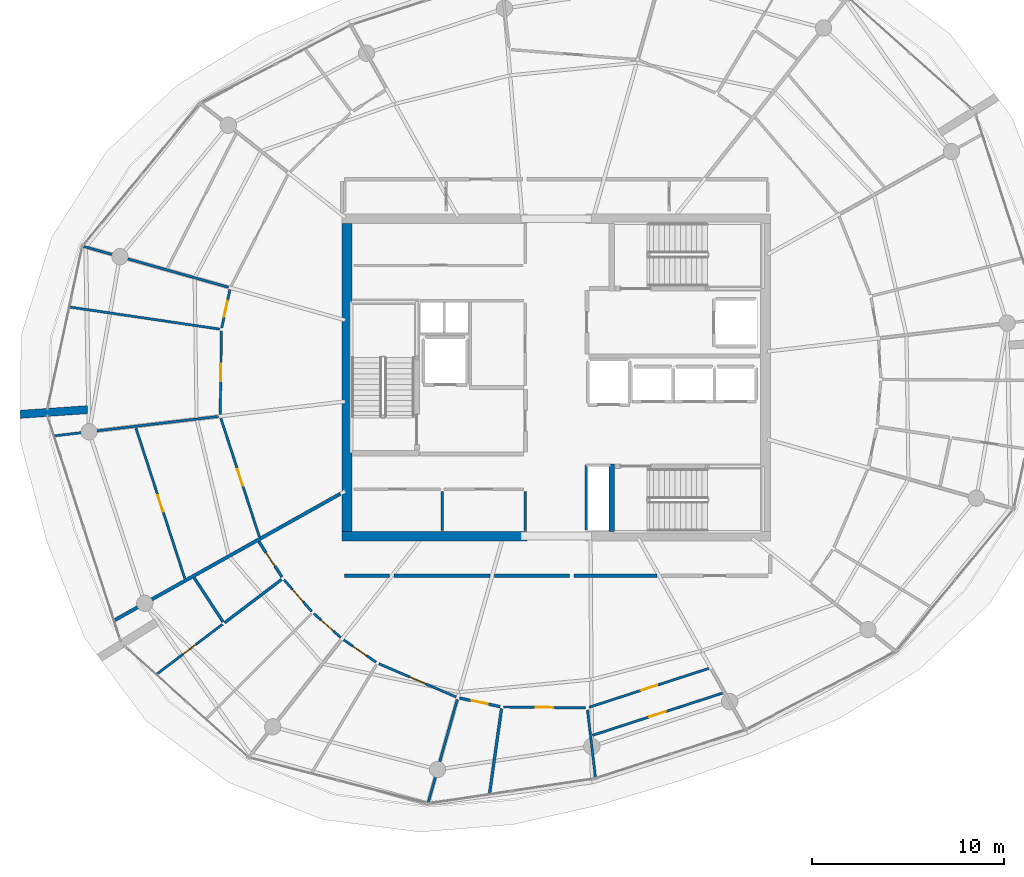
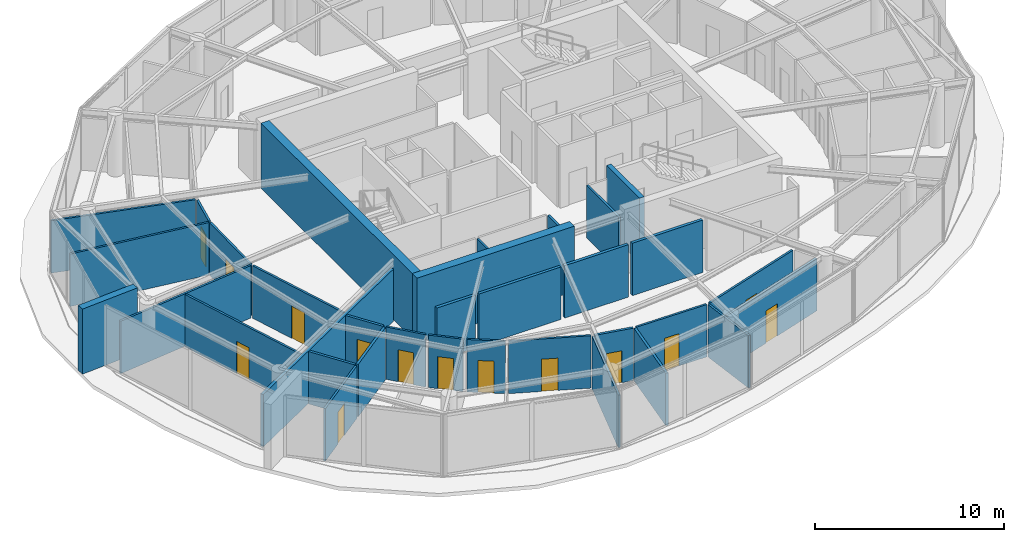
# One storey, part 11 of 16: 34 walls, 14 doors, 14 openings.
"""IFC4 building model written with IfcOpenShell, lengths in metres."""

from ifc_helpers import new_model, si_unit, direction, frame, frame_2d, origin, place, context, subcontext, project, spatial, rectangle, extrude, material, layer, layer_set, type_object, element, fill, save


model = new_model("IFC4")

# Units and contexts
model_context = context("Model", 3, precision=1e-05, world=origin(), true_north=direction((0.0, 1.0)))
body_context = subcontext(model_context, "Body", "Model", "MODEL_VIEW")
ifc_project = project(units=[si_unit("LENGTHUNIT", "METRE"), si_unit("AREAUNIT", "SQUARE_METRE"), si_unit("VOLUMEUNIT", "CUBIC_METRE"), si_unit("PLANEANGLEUNIT", "RADIAN"), si_unit("MASSUNIT", "GRAM", prefix="KILO")], contexts=[model_context])

# Site, building, storey
site_placement = place(None, origin())
site = spatial("IfcSite", under=ifc_project, at=site_placement, CompositionType="ELEMENT")
building_placement = place(site_placement, origin())
building = spatial("IfcBuilding", under=site, at=building_placement, Name="Kazma Halo Residences", CompositionType="ELEMENT")
storey_placement = place(building_placement, frame((0.0, 0.0, 313.699951171875)))
storey = spatial("IfcBuildingStorey", under=building, at=storey_placement, Name="L79", CompositionType="ELEMENT", Elevation=313.699951171875)

# Walls
ifc_material_1 = material(Name="Pale Concrete C60/75", Category="concrete")
ifc_layer_1 = layer(ifc_material_1, 0.419921875)
ifc_layer_set_1 = layer_set([ifc_layer_1], Name="Pale Concrete C60/75")
wall_type_1 = type_object("IfcWallType", Name="WL-BLADE-420", PredefinedType="SOLIDWALL", material=ifc_layer_set_1)
wall_1_placement = place(storey_placement, frame((24.05908203125, 40.325927734375, 0.0), z_axis=(0.0, 0.0, 1.0), x_axis=(-0.997564163539, -0.069754853754, 0.0)))
element("IfcWall", 1, at=wall_1_placement, inside=storey, type_object=wall_type_1, Name="L79 pale concrete structural blade fin wall BW-02", PredefinedType="SOLIDWALL", context=body_context, shape_type="SweptSolid", body=[
    extrude(rectangle(XDim=3.5, YDim=0.419921875, at=frame_2d((1.75, 0.0))), origin(), (0.0, 0.0, 1.0), 4.199951171875),
])
ifc_material_2 = material(Name="Concrete C60/75", Category="concrete")
ifc_layer_2 = layer(ifc_material_2, 0.5)
ifc_layer_set_2 = layer_set([ifc_layer_2], Name="Concrete C60/75")
wall_type_2 = type_object("IfcWallType", Name="WL-CORE-500", PredefinedType="SHEAR", material=ifc_layer_set_2)
wall_2_placement = place(storey_placement, frame((37.300048828125, 33.75, 0.0), z_axis=(0.0, 0.0, 1.0), x_axis=(1.0, 0.0, 0.0)))
element("IfcWall", 2, at=wall_2_placement, inside=storey, type_object=wall_type_2, Name="L79 central core shear wall SW", PredefinedType="SHEAR", context=body_context, shape_type="SweptSolid", body=[
    extrude(rectangle(XDim=9.599853515625, YDim=0.5, at=frame_2d((4.7998046875, 0.0))), origin(), (0.0, 0.0, 1.0), 4.199951171875),
])
wall_3_placement = place(storey_placement, frame((37.550048828125, 34.0, 0.0), z_axis=(0.0, 0.0, 1.0), x_axis=(0.0, 1.0, 0.0)))
element("IfcWall", 3, at=wall_3_placement, inside=storey, type_object=wall_type_2, Name="L79 central core shear wall W", PredefinedType="SHEAR", context=body_context, shape_type="SweptSolid", body=[
    extrude(rectangle(XDim=16.0, YDim=0.5, at=frame_2d((8.0, 0.0))), origin(), (0.0, 0.0, 1.0), 4.199951171875),
])
ifc_layer_3 = layer(ifc_material_2, 0.280029296875)
ifc_layer_set_3 = layer_set([ifc_layer_3], Name="Concrete C60/75")
wall_type_3 = type_object("IfcWallType", Name="WL-CORE-ST-280", PredefinedType="SHEAR", material=ifc_layer_set_3)
wall_4_placement = place(storey_placement, frame((51.31005859375, 34.0, 0.0), z_axis=(0.0, 0.0, 1.0), x_axis=(0.0, 1.0, 0.0)))
element("IfcWall", 4, at=wall_4_placement, inside=storey, type_object=wall_type_3, Name="L79 stairwell bearing wall ST03-W", PredefinedType="SHEAR", context=body_context, shape_type="SweptSolid", body=[
    extrude(rectangle(XDim=3.5, YDim=0.280029296875, at=frame_2d((1.75, 0.0))), origin(), (0.0, 0.0, 1.0), 4.199951171875),
])
ifc_material_3 = material(Name="Acoustic Twin-Stud Gypsum")
ifc_layer_4 = layer(ifc_material_3, 0.179931640625)
ifc_layer_set_4 = layer_set([ifc_layer_4], Name="Acoustic Twin-Stud Gypsum")
wall_type_4 = type_object("IfcWallType", Name="WL-DEM-180", PredefinedType="PARTITIONING", material=ifc_layer_set_4)
wall_5_placement = place(storey_placement, frame((37.2041015625, 35.9541015625, 0.0), z_axis=(0.0, 0.0, 1.0), x_axis=(-0.872495191914, -0.488622697064, 0.0)))
element("IfcWall", 5, at=wall_5_placement, inside=storey, type_object=wall_type_4, Name="L79 apartment demising radial wall 08", PredefinedType="PARTITIONING", context=body_context, shape_type="SweptSolid", body=[
    extrude(rectangle(XDim=13.462158203125, YDim=0.179931640625, at=frame_2d((6.73095703125, 0.0))), origin(), (0.0, 0.0, 1.0), 3.380126953125),
])
wall_6_placement = place(storey_placement, frame((37.419921875, 31.699951171875, 0.0), z_axis=(0.0, 0.0, 1.0), x_axis=(1.0, 0.0, 0.0)))
element("IfcWall", 6, at=wall_6_placement, inside=storey, type_object=wall_type_4, Name="L79 Penthouse 2 inner wall 8", PredefinedType="PARTITIONING", context=body_context, shape_type="SweptSolid", body=[
    extrude(rectangle(XDim=2.340087890625, YDim=0.179931640625, at=frame_2d((1.169921875, 0.0))), origin(), (0.0, 0.0, 1.0), 3.380126953125),
])
wall_7_placement = place(storey_placement, frame((40.0, 31.699951171875, 0.0), z_axis=(0.0, 0.0, 1.0), x_axis=(1.0, 0.0, 0.0)))
element("IfcWall", 7, at=wall_7_placement, inside=storey, type_object=wall_type_4, Name="L79 Penthouse 2 inner wall 9", PredefinedType="PARTITIONING", context=body_context, shape_type="SweptSolid", body=[
    extrude(rectangle(XDim=4.97509765625, YDim=0.179931640625, at=frame_2d((2.487548828125, 0.0))), origin(), (0.0, 0.0, 1.0), 3.380126953125),
])
wall_8_placement = place(storey_placement, frame((45.215087890625, 31.699951171875, 0.0), z_axis=(0.0, 0.0, 1.0), x_axis=(1.0, 0.0, 0.0)))
element("IfcWall", 8, at=wall_8_placement, inside=storey, type_object=wall_type_4, Name="L79 Penthouse 2 inner wall 10", PredefinedType="PARTITIONING", context=body_context, shape_type="SweptSolid", body=[
    extrude(rectangle(XDim=3.884033203125, YDim=0.179931640625, at=frame_2d((1.94189453125, 0.0))), origin(), (0.0, 0.0, 1.0), 3.380126953125),
])
wall_9_placement = place(storey_placement, frame((49.339111328125, 31.699951171875, 0.0), z_axis=(0.0, 0.0, 1.0), x_axis=(1.0, 0.0, 0.0)))
element("IfcWall", 9, at=wall_9_placement, inside=storey, type_object=wall_type_4, Name="L79 Penthouse 2 inner wall 11", PredefinedType="PARTITIONING", context=body_context, shape_type="SweptSolid", body=[
    extrude(rectangle(XDim=4.30908203125, YDim=0.179931640625, at=frame_2d((2.154541015625, 0.0))), origin(), (0.0, 0.0, 1.0), 3.380126953125),
])
ifc_material_4 = material(Name="Gypsum Plasterboard Partition")
ifc_layer_5 = layer(ifc_material_4, 0.125)
ifc_layer_set_5 = layer_set([ifc_layer_5], Name="Gypsum Plasterboard Partition")
wall_type_5 = type_object("IfcWallType", Name="WL-PART-125", PredefinedType="PARTITIONING", material=ifc_layer_set_5)
for number, where, z_axis, x_axis, name in (
    (10, (46.820068359375, 34.050048828125, 0.0), (0.0, 0.0, 1.0), (0.0, 1.0, 0.0), "L79 reclaimed south east wall"),
    (11, (42.5, 34.050048828125, 0.0), (0.0, 0.0, 1.0), (0.0, 1.0, 0.0), "L79 reclaimed south divider wall"),
):
    element("IfcWall", number, at=place(storey_placement, frame(where, z_axis=z_axis, x_axis=x_axis)), inside=storey, type_object=wall_type_5, Name=name, PredefinedType="PARTITIONING", context=body_context, shape_type="SweptSolid", body=[
        extrude(rectangle(XDim=2.030029296875, YDim=0.125, at=frame_2d((1.01513671875, 0.0))), origin(), (0.0, 0.0, 1.0), 3.380126953125),
    ])
wall_10_placement = place(storey_placement, frame((49.97998046875, 34.06005859375, 0.0), z_axis=(0.0, 0.0, 1.0), x_axis=(0.0, 1.0, 0.0)))
element("IfcWall", 12, at=wall_10_placement, inside=storey, type_object=wall_type_5, Name="L79 standpipe riser wall", PredefinedType="PARTITIONING", context=body_context, shape_type="SweptSolid", body=[
    extrude(rectangle(XDim=3.39990234375, YDim=0.125, at=frame_2d((1.699951171875, 0.0))), origin(), (0.0, 0.0, 1.0), 3.380126953125),
])
wall_11_placement = place(storey_placement, frame((31.38525390625, 46.685791015625, 0.0), z_axis=(0.0, 0.0, 1.0), x_axis=(-0.962456747036, 0.271435093685, 0.0)))
element("IfcWall", 13, at=wall_11_placement, inside=storey, type_object=wall_type_5, Name="L79 Penthouse 1 radial partition 6", PredefinedType="PARTITIONING", context=body_context, shape_type="SweptSolid", body=[
    extrude(rectangle(XDim=7.86376953125, YDim=0.125, at=frame_2d((3.931884765625, 0.0))), origin(), (0.0, 0.0, 1.0), 3.380126953125),
])
wall_12_placement = place(storey_placement, frame((30.930908203125, 44.511474609375, 0.0), z_axis=(0.0, 0.0, 1.0), x_axis=(-0.989350078836, 0.145555561584, 0.0)))
element("IfcWall", 14, at=wall_12_placement, inside=storey, type_object=wall_type_5, Name="L79 Penthouse 1 mid-bay wall 6", PredefinedType="PARTITIONING", context=body_context, shape_type="SweptSolid", body=[
    extrude(rectangle(XDim=7.876708984375, YDim=0.125, at=frame_2d((3.9384765625, 0.0))), origin(), (0.0, 0.0, 1.0), 3.380126953125),
])

# Wall, opening, door
wall_13_placement = place(storey_placement, frame((31.46044921875, 46.560791015625, 0.0), z_axis=(0.0, 0.0, 1.0), x_axis=(-0.208871695371, -0.977943052981, 0.0)))
wall_13 = element("IfcWall", 15, at=wall_13_placement, inside=storey, type_object=wall_type_5, Name="L79 Penthouse 1 Outer Wine Pantry Store hall wall", PredefinedType="PARTITIONING", context=body_context, shape_type="SweptSolid", body=[
    extrude(rectangle(XDim=2.029052734375, YDim=0.125, at=frame_2d((1.0146484375, 0.0))), origin(), (0.0, 0.0, 1.0), 3.380126953125),
])
opening_1_placement = place(wall_13_placement, frame((0.589599609375, 0.0, 0.0)))
opening_1 = element("IfcOpeningElement", 16, at=opening_1_placement, cuts=wall_13, Name="Opening DB-900", PredefinedType="OPENING", context=body_context, shape_type="SweptSolid", body=[
    extrude(rectangle(XDim=0.85009765625, YDim=2.06005859375, at=frame_2d((0.425048828125, 1.030029296875))), frame((0.0, 0.072509765625, 0.0), z_axis=(0.0, -1.0, 0.0), x_axis=(1.0, 0.0, 0.0)), (0.0, 0.0, 1.0), 0.14501953125),
])
ifc_material_5 = material(Name="Moisture-Sealed Timber Leaf", Category="wood")
door_type_1 = type_object("IfcDoorType", Name="DR-BTH-900", OperationType="NOTDEFINED", PredefinedType="DOOR", material=ifc_material_5)
door_1_placement = place(opening_1_placement, origin())
door_1 = element("IfcDoor", 17, at=door_1_placement, inside=storey, type_object=door_type_1, Name="L79 Penthouse 1 Outer Wine Pantry Store door", OperationType="SINGLE_SWING_RIGHT", OverallHeight=2.06005859375, OverallWidth=0.85009765625, PredefinedType="DOOR", context=body_context, shape_type="SweptSolid", body=[
    extrude(rectangle(XDim=0.85009765625, YDim=2.06005859375, at=frame_2d((0.425048828125, 1.030029296875))), frame((0.0, 0.02490234375, 0.0), z_axis=(0.0, -1.0, 0.0), x_axis=(1.0, 0.0, 0.0)), (0.0, 0.0, 1.0), 0.050048828125),
])
fill(opening_1, door_1)

wall_14_placement = place(storey_placement, frame((31.018798828125, 44.418212890625, 0.0), z_axis=(0.0, 0.0, 1.0), x_axis=(-0.014133062898, -0.999900123279, 0.0)))
wall_14 = element("IfcWall", 18, at=wall_14_placement, inside=storey, type_object=wall_type_5, Name="L79 Penthouse 1 Corner Formal Dining Room hall wall", PredefinedType="PARTITIONING", context=body_context, shape_type="SweptSolid", body=[
    extrude(rectangle(XDim=4.3359375, YDim=0.125, at=frame_2d((2.16796875, 0.0))), origin(), (0.0, 0.0, 1.0), 3.380126953125),
])
opening_2_placement = place(wall_14_placement, frame((1.718017578125, 0.0, 0.0)))
opening_2 = element("IfcOpeningElement", 19, at=opening_2_placement, cuts=wall_14, Name="Opening DI-950", PredefinedType="OPENING", context=body_context, shape_type="SweptSolid", body=[
    extrude(rectangle(XDim=0.89990234375, YDim=2.080078125, at=frame_2d((0.449951171875, 1.0400390625))), frame((0.0, 0.072509765625, 0.0), z_axis=(0.0, -1.0, 0.0), x_axis=(1.0, 0.0, 0.0)), (0.0, 0.0, 1.0), 0.14501953125),
])
ifc_material_6 = material(Name="Timber Veneer Flush Leaf", Category="wood")
door_type_2 = type_object("IfcDoorType", Name="DR-INT-950", OperationType="NOTDEFINED", PredefinedType="DOOR", material=ifc_material_6)
door_2_placement = place(opening_2_placement, origin())
door_2 = element("IfcDoor", 20, at=door_2_placement, inside=storey, type_object=door_type_2, Name="L79 Penthouse 1 Corner Formal Dining Room door", OperationType="SINGLE_SWING_LEFT", OverallHeight=2.080078125, OverallWidth=0.89990234375, PredefinedType="DOOR", context=body_context, shape_type="SweptSolid", body=[
    extrude(rectangle(XDim=0.89990234375, YDim=2.080078125, at=frame_2d((0.449951171875, 1.0400390625))), frame((0.0, 0.02490234375, 0.0), z_axis=(0.0, -1.0, 0.0), x_axis=(1.0, 0.0, 0.0)), (0.0, 0.0, 1.0), 0.050048828125),
])
fill(opening_2, door_2)

# Wall
wall_15_placement = place(storey_placement, frame((30.856689453125, 39.970947265625, 0.0), z_axis=(0.0, 0.0, 1.0), x_axis=(-0.993069304007, -0.117530240533, 0.0)))
element("IfcWall", 21, at=wall_15_placement, inside=storey, type_object=wall_type_5, Name="L79 Penthouse 1 radial partition 7", PredefinedType="PARTITIONING", context=body_context, shape_type="SweptSolid", body=[
    extrude(rectangle(XDim=8.57275390625, YDim=0.125, at=frame_2d((4.286376953125, 0.0))), origin(), (0.0, 0.0, 1.0), 3.380126953125),
])

# Wall, opening, door
wall_16_placement = place(storey_placement, frame((30.989990234375, 39.878173828125, 0.0), z_axis=(0.0, 0.0, 1.0), x_axis=(0.309026406972, -0.951053457905, 0.0)))
wall_16 = element("IfcWall", 22, at=wall_16_placement, inside=storey, type_object=wall_type_5, Name="L79 Penthouse 1 Garden Study hall wall", PredefinedType="PARTITIONING", context=body_context, shape_type="SweptSolid", body=[
    extrude(rectangle(XDim=6.4765625, YDim=0.125, at=frame_2d((3.23828125, 0.0))), origin(), (0.0, 0.0, 1.0), 3.380126953125),
])
opening_3_placement = place(wall_16_placement, frame((2.788330078125, 0.0, 0.0)))
opening_3 = element("IfcOpeningElement", 23, at=opening_3_placement, cuts=wall_16, Name="Opening DI-950", PredefinedType="OPENING", context=body_context, shape_type="SweptSolid", body=[
    extrude(rectangle(XDim=0.89990234375, YDim=2.080078125, at=frame_2d((0.449951171875, 1.0400390625))), frame((0.0, 0.072509765625, 0.0), z_axis=(0.0, -1.0, 0.0), x_axis=(1.0, 0.0, 0.0)), (0.0, 0.0, 1.0), 0.14501953125),
])
door_3_placement = place(opening_3_placement, origin())
door_3 = element("IfcDoor", 24, at=door_3_placement, inside=storey, type_object=door_type_2, Name="L79 Penthouse 1 Garden Study door", OperationType="SINGLE_SWING_LEFT", OverallHeight=2.080078125, OverallWidth=0.89990234375, PredefinedType="DOOR", context=body_context, shape_type="SweptSolid", body=[
    extrude(rectangle(XDim=0.89990234375, YDim=2.080078125, at=frame_2d((0.449951171875, 1.0400390625))), frame((0.0, 0.02490234375, 0.0), z_axis=(0.0, -1.0, 0.0), x_axis=(1.0, 0.0, 0.0)), (0.0, 0.0, 1.0), 0.050048828125),
])
fill(opening_3, door_3)

wall_17_placement = place(storey_placement, frame((26.580810546875, 39.356201171875, 0.0), z_axis=(0.0, 0.0, 1.0), x_axis=(0.309000666789, -0.951061821294, 0.0)))
wall_17 = element("IfcWall", 25, at=wall_17_placement, inside=storey, type_object=wall_type_5, Name="L79 Penthouse 1 Sky Master Bedroom divider wall", PredefinedType="PARTITIONING", context=body_context, shape_type="SweptSolid", body=[
    extrude(rectangle(XDim=8.209228515625, YDim=0.125, at=frame_2d((4.1044921875, 0.0))), origin(), (0.0, 0.0, 1.0), 3.380126953125),
])
opening_4_placement = place(wall_17_placement, frame((3.654541015625, 0.0, 0.0)))
opening_4 = element("IfcOpeningElement", 26, at=opening_4_placement, cuts=wall_17, Name="Opening DI-950", PredefinedType="OPENING", context=body_context, shape_type="SweptSolid", body=[
    extrude(rectangle(XDim=0.89990234375, YDim=2.080078125, at=frame_2d((0.449951171875, 1.0400390625))), frame((0.0, 0.072509765625, 0.0), z_axis=(0.0, -1.0, 0.0), x_axis=(1.0, 0.0, 0.0)), (0.0, 0.0, 1.0), 0.14501953125),
])
door_4_placement = place(opening_4_placement, origin())
door_4 = element("IfcDoor", 27, at=door_4_placement, inside=storey, type_object=door_type_2, Name="L79 Penthouse 1 Sky Master Bedroom door", OperationType="SINGLE_SWING_RIGHT", OverallHeight=2.080078125, OverallWidth=0.89990234375, PredefinedType="DOOR", context=body_context, shape_type="SweptSolid", body=[
    extrude(rectangle(XDim=0.89990234375, YDim=2.080078125, at=frame_2d((0.449951171875, 1.0400390625))), frame((0.0, 0.02490234375, 0.0), z_axis=(0.0, -1.0, 0.0), x_axis=(1.0, 0.0, 0.0)), (0.0, 0.0, 1.0), 0.050048828125),
])
fill(opening_4, door_4)

wall_18_placement = place(storey_placement, frame((31.078125, 29.169677734375, 0.0), z_axis=(0.0, 0.0, 1.0), x_axis=(-0.796851341582, -0.604175421064, 0.0)))
wall_18 = element("IfcWall", 28, at=wall_18_placement, inside=storey, type_object=wall_type_5, Name="L79 Penthouse 2 Household Store Room partition wall", PredefinedType="PARTITIONING", context=body_context, shape_type="SweptSolid", body=[
    extrude(rectangle(XDim=4.304443359375, YDim=0.125, at=frame_2d((2.15234375, 0.0))), origin(), (0.0, 0.0, 1.0), 3.380126953125),
])
opening_5_placement = place(wall_18_placement, frame((1.727294921875, 0.0, 0.0)))
opening_5 = element("IfcOpeningElement", 29, at=opening_5_placement, cuts=wall_18, Name="Opening DB-900", PredefinedType="OPENING", context=body_context, shape_type="SweptSolid", body=[
    extrude(rectangle(XDim=0.85009765625, YDim=2.06005859375, at=frame_2d((0.425048828125, 1.030029296875))), frame((0.0, 0.072509765625, 0.0), z_axis=(0.0, -1.0, 0.0), x_axis=(1.0, 0.0, 0.0)), (0.0, 0.0, 1.0), 0.14501953125),
])
door_5_placement = place(opening_5_placement, origin())
door_5 = element("IfcDoor", 30, at=door_5_placement, inside=storey, type_object=door_type_1, Name="L79 Penthouse 2 Household Store Room door", OperationType="SINGLE_SWING_LEFT", OverallHeight=2.06005859375, OverallWidth=0.85009765625, PredefinedType="DOOR", context=body_context, shape_type="SweptSolid", body=[
    extrude(rectangle(XDim=0.85009765625, YDim=2.06005859375, at=frame_2d((0.425048828125, 1.030029296875))), frame((0.0, 0.02490234375, 0.0), z_axis=(0.0, -1.0, 0.0), x_axis=(1.0, 0.0, 0.0)), (0.0, 0.0, 1.0), 0.050048828125),
])
fill(opening_5, door_5)

wall_19_placement = place(storey_placement, frame((34.27685546875, 31.482177734375, 0.0), z_axis=(0.0, 0.0, 1.0), x_axis=(0.656959210167, -0.753926121167, 0.0)))
wall_19 = element("IfcWall", 31, at=wall_19_placement, inside=storey, type_object=wall_type_5, Name="L79 Penthouse 2 Gourmet Kitchen hall wall", PredefinedType="PARTITIONING", context=body_context, shape_type="SweptSolid", body=[
    extrude(rectangle(XDim=2.182861328125, YDim=0.125, at=frame_2d((1.09130859375, 0.0))), origin(), (0.0, 0.0, 1.0), 3.380126953125),
])
opening_6_placement = place(wall_19_placement, frame((0.66650390625, 0.0, 0.0)))
opening_6 = element("IfcOpeningElement", 32, at=opening_6_placement, cuts=wall_19, Name="Opening DB-900", PredefinedType="OPENING", context=body_context, shape_type="SweptSolid", body=[
    extrude(rectangle(XDim=0.85009765625, YDim=2.06005859375, at=frame_2d((0.425048828125, 1.030029296875))), frame((0.0, 0.072509765625, 0.0), z_axis=(0.0, -1.0, 0.0), x_axis=(1.0, 0.0, 0.0)), (0.0, 0.0, 1.0), 0.14501953125),
])
door_6_placement = place(opening_6_placement, origin())
door_6 = element("IfcDoor", 33, at=door_6_placement, inside=storey, type_object=door_type_1, Name="L79 Penthouse 2 Gourmet Kitchen door", OperationType="SINGLE_SWING_RIGHT", OverallHeight=2.06005859375, OverallWidth=0.85009765625, PredefinedType="DOOR", context=body_context, shape_type="SweptSolid", body=[
    extrude(rectangle(XDim=0.85009765625, YDim=2.06005859375, at=frame_2d((0.425048828125, 1.030029296875))), frame((0.0, 0.02490234375, 0.0), z_axis=(0.0, -1.0, 0.0), x_axis=(1.0, 0.0, 0.0)), (0.0, 0.0, 1.0), 0.050048828125),
])
fill(opening_6, door_6)

wall_20_placement = place(storey_placement, frame((35.8232421875, 29.722900390625, 0.0), z_axis=(0.0, 0.0, 1.0), x_axis=(0.747438201164, -0.664331344617, 0.0)))
wall_20 = element("IfcWall", 34, at=wall_20_placement, inside=storey, type_object=wall_type_5, Name="L79 Penthouse 2 Primary Bedroom hall wall", PredefinedType="PARTITIONING", context=body_context, shape_type="SweptSolid", body=[
    extrude(rectangle(XDim=1.865478515625, YDim=0.125, at=frame_2d((0.9326171875, 0.0))), origin(), (0.0, 0.0, 1.0), 3.380126953125),
])
opening_7_placement = place(wall_20_placement, frame((0.5078125, 0.0, 0.0)))
opening_7 = element("IfcOpeningElement", 35, at=opening_7_placement, cuts=wall_20, Name="Opening DB-900", PredefinedType="OPENING", context=body_context, shape_type="SweptSolid", body=[
    extrude(rectangle(XDim=0.85009765625, YDim=2.06005859375, at=frame_2d((0.425048828125, 1.030029296875))), frame((0.0, 0.072509765625, 0.0), z_axis=(0.0, -1.0, 0.0), x_axis=(1.0, 0.0, 0.0)), (0.0, 0.0, 1.0), 0.14501953125),
])
door_7_placement = place(opening_7_placement, origin())
door_7 = element("IfcDoor", 36, at=door_7_placement, inside=storey, type_object=door_type_1, Name="L79 Penthouse 2 Primary Bedroom door", OperationType="SINGLE_SWING_LEFT", OverallHeight=2.06005859375, OverallWidth=0.85009765625, PredefinedType="DOOR", context=body_context, shape_type="SweptSolid", body=[
    extrude(rectangle(XDim=0.85009765625, YDim=2.06005859375, at=frame_2d((0.425048828125, 1.030029296875))), frame((0.0, 0.02490234375, 0.0), z_axis=(0.0, -1.0, 0.0), x_axis=(1.0, 0.0, 0.0)), (0.0, 0.0, 1.0), 0.050048828125),
])
fill(opening_7, door_7)

wall_21_placement = place(storey_placement, frame((37.37451171875, 28.360595703125, 0.0), z_axis=(0.0, 0.0, 1.0), x_axis=(0.823529894266, -0.567272873712, 0.0)))
wall_21 = element("IfcWall", 37, at=wall_21_placement, inside=storey, type_object=wall_type_5, Name="L79 Penthouse 2 East Wine Pantry Store hall wall", PredefinedType="PARTITIONING", context=body_context, shape_type="SweptSolid", body=[
    extrude(rectangle(XDim=2.04638671875, YDim=0.125, at=frame_2d((1.023193359375, 0.0))), origin(), (0.0, 0.0, 1.0), 3.380126953125),
])
opening_8_placement = place(wall_21_placement, frame((0.59814453125, 0.0, 0.0)))
opening_8 = element("IfcOpeningElement", 38, at=opening_8_placement, cuts=wall_21, Name="Opening DB-900", PredefinedType="OPENING", context=body_context, shape_type="SweptSolid", body=[
    extrude(rectangle(XDim=0.85009765625, YDim=2.06005859375, at=frame_2d((0.425048828125, 1.030029296875))), frame((0.0, 0.072509765625, 0.0), z_axis=(0.0, -1.0, 0.0), x_axis=(1.0, 0.0, 0.0)), (0.0, 0.0, 1.0), 0.14501953125),
])
door_8_placement = place(opening_8_placement, origin())
door_8 = element("IfcDoor", 39, at=door_8_placement, inside=storey, type_object=door_type_1, Name="L79 Penthouse 2 East Wine Pantry Store door", OperationType="SINGLE_SWING_LEFT", OverallHeight=2.06005859375, OverallWidth=0.85009765625, PredefinedType="DOOR", context=body_context, shape_type="SweptSolid", body=[
    extrude(rectangle(XDim=0.85009765625, YDim=2.06005859375, at=frame_2d((0.425048828125, 1.030029296875))), frame((0.0, 0.02490234375, 0.0), z_axis=(0.0, -1.0, 0.0), x_axis=(1.0, 0.0, 0.0)), (0.0, 0.0, 1.0), 0.050048828125),
])
fill(opening_8, door_8)

wall_22_placement = place(storey_placement, frame((39.19921875, 27.12255859375, 0.0), z_axis=(0.0, 0.0, 1.0), x_axis=(0.918386386282, -0.395684780466, 0.0)))
wall_22 = element("IfcWall", 40, at=wall_22_placement, inside=storey, type_object=wall_type_5, Name="L79 Penthouse 2 West Formal Dining Room hall wall", PredefinedType="PARTITIONING", context=body_context, shape_type="SweptSolid", body=[
    extrude(rectangle(XDim=4.370849609375, YDim=0.125, at=frame_2d((2.185546875, 0.0))), origin(), (0.0, 0.0, 1.0), 3.380126953125),
])
opening_9_placement = place(wall_22_placement, frame((1.735595703125, 0.0, 0.0)))
opening_9 = element("IfcOpeningElement", 41, at=opening_9_placement, cuts=wall_22, Name="Opening DI-950", PredefinedType="OPENING", context=body_context, shape_type="SweptSolid", body=[
    extrude(rectangle(XDim=0.89990234375, YDim=2.080078125, at=frame_2d((0.449951171875, 1.0400390625))), frame((0.0, 0.072509765625, 0.0), z_axis=(0.0, -1.0, 0.0), x_axis=(1.0, 0.0, 0.0)), (0.0, 0.0, 1.0), 0.14501953125),
])
door_9_placement = place(opening_9_placement, origin())
door_9 = element("IfcDoor", 42, at=door_9_placement, inside=storey, type_object=door_type_2, Name="L79 Penthouse 2 West Formal Dining Room door", OperationType="SINGLE_SWING_RIGHT", OverallHeight=2.080078125, OverallWidth=0.89990234375, PredefinedType="DOOR", context=body_context, shape_type="SweptSolid", body=[
    extrude(rectangle(XDim=0.89990234375, YDim=2.080078125, at=frame_2d((0.449951171875, 1.0400390625))), frame((0.0, 0.02490234375, 0.0), z_axis=(0.0, -1.0, 0.0), x_axis=(1.0, 0.0, 0.0)), (0.0, 0.0, 1.0), 0.050048828125),
])
fill(opening_9, door_9)

# Wall
wall_23_placement = place(storey_placement, frame((43.278076171875, 25.257080078125, 0.0), z_axis=(0.0, 0.0, 1.0), x_axis=(-0.271452912573, -0.962451721519, 0.0)))
element("IfcWall", 43, at=wall_23_placement, inside=storey, type_object=wall_type_5, Name="L79 Penthouse 2 radial partition 10", PredefinedType="PARTITIONING", context=body_context, shape_type="SweptSolid", body=[
    extrude(rectangle(XDim=5.596923828125, YDim=0.125, at=frame_2d((2.79833984375, 0.0))), origin(), (0.0, 0.0, 1.0), 3.380126953125),
])

# Wall, opening, door
wall_24_placement = place(storey_placement, frame((45.679931640625, 24.87158203125, 0.0), z_axis=(0.0, 0.0, 1.0), x_axis=(0.99993989629, -0.010963749724, 0.0)))
wall_24 = element("IfcWall", 44, at=wall_24_placement, inside=storey, type_object=wall_type_5, Name="L79 Penthouse 2 South Master Bedroom hall wall", PredefinedType="PARTITIONING", context=body_context, shape_type="SweptSolid", body=[
    extrude(rectangle(XDim=4.253173828125, YDim=0.125, at=frame_2d((2.12646484375, 0.0))), origin(), (0.0, 0.0, 1.0), 3.380126953125),
])
opening_10_placement = place(wall_24_placement, frame((1.676513671875, 0.0, 0.0)))
opening_10 = element("IfcOpeningElement", 45, at=opening_10_placement, cuts=wall_24, Name="Opening DI-950", PredefinedType="OPENING", context=body_context, shape_type="SweptSolid", body=[
    extrude(rectangle(XDim=0.89990234375, YDim=2.080078125, at=frame_2d((0.449951171875, 1.0400390625))), frame((0.0, 0.072509765625, 0.0), z_axis=(0.0, -1.0, 0.0), x_axis=(1.0, 0.0, 0.0)), (0.0, 0.0, 1.0), 0.14501953125),
])
door_10_placement = place(opening_10_placement, origin())
door_10 = element("IfcDoor", 46, at=door_10_placement, inside=storey, type_object=door_type_2, Name="L79 Penthouse 2 South Master Bedroom door", OperationType="SINGLE_SWING_RIGHT", OverallHeight=2.080078125, OverallWidth=0.89990234375, PredefinedType="DOOR", context=body_context, shape_type="SweptSolid", body=[
    extrude(rectangle(XDim=0.89990234375, YDim=2.080078125, at=frame_2d((0.449951171875, 1.0400390625))), frame((0.0, 0.02490234375, 0.0), z_axis=(0.0, -1.0, 0.0), x_axis=(1.0, 0.0, 0.0)), (0.0, 0.0, 1.0), 0.050048828125),
])
fill(opening_10, door_10)

# Wall
wall_25_placement = place(storey_placement, frame((50.044677734375, 24.724609375, 0.0), z_axis=(0.0, 0.0, 1.0), x_axis=(0.117544267504, -0.993067643807, 0.0)))
element("IfcWall", 47, at=wall_25_placement, inside=storey, type_object=wall_type_5, Name="L79 Penthouse 2 radial partition 11", PredefinedType="PARTITIONING", context=body_context, shape_type="SweptSolid", body=[
    extrude(rectangle(XDim=3.566162109375, YDim=0.125, at=frame_2d((1.783203125, 0.0))), origin(), (0.0, 0.0, 1.0), 3.380126953125),
])

# Wall, opening, door
wall_26_placement = place(storey_placement, frame((50.137451171875, 24.85791015625, 0.0), z_axis=(0.0, 0.0, 1.0), x_axis=(0.95106401822, 0.30899390487, 0.0)))
wall_26 = element("IfcWall", 48, at=wall_26_placement, inside=storey, type_object=wall_type_5, Name="L79 Penthouse 2 Inner Study hall wall", PredefinedType="PARTITIONING", context=body_context, shape_type="SweptSolid", body=[
    extrude(rectangle(XDim=6.52880859375, YDim=0.125, at=frame_2d((3.264404296875, 0.0))), origin(), (0.0, 0.0, 1.0), 3.380126953125),
])
opening_11_placement = place(wall_26_placement, frame((2.814208984375, 0.0, 0.0)))
opening_11 = element("IfcOpeningElement", 49, at=opening_11_placement, cuts=wall_26, Name="Opening DI-950", PredefinedType="OPENING", context=body_context, shape_type="SweptSolid", body=[
    extrude(rectangle(XDim=0.89990234375, YDim=2.080078125, at=frame_2d((0.449951171875, 1.0400390625))), frame((0.0, 0.072509765625, 0.0), z_axis=(0.0, -1.0, 0.0), x_axis=(1.0, 0.0, 0.0)), (0.0, 0.0, 1.0), 0.14501953125),
])
door_11_placement = place(opening_11_placement, origin())
door_11 = element("IfcDoor", 50, at=door_11_placement, inside=storey, type_object=door_type_2, Name="L79 Penthouse 2 Inner Study door", OperationType="SINGLE_SWING_LEFT", OverallHeight=2.080078125, OverallWidth=0.89990234375, PredefinedType="DOOR", context=body_context, shape_type="SweptSolid", body=[
    extrude(rectangle(XDim=0.89990234375, YDim=2.080078125, at=frame_2d((0.449951171875, 1.0400390625))), frame((0.0, 0.02490234375, 0.0), z_axis=(0.0, -1.0, 0.0), x_axis=(1.0, 0.0, 0.0)), (0.0, 0.0, 1.0), 0.050048828125),
])
fill(opening_11, door_11)

wall_27_placement = place(storey_placement, frame((50.310302734375, 23.398193359375, 0.0), z_axis=(0.0, 0.0, 1.0), x_axis=(0.951062105288, 0.308999792693, 0.0)))
wall_27 = element("IfcWall", 51, at=wall_27_placement, inside=storey, type_object=wall_type_5, Name="L79 Penthouse 2 Outer Bedroom divider wall", PredefinedType="PARTITIONING", context=body_context, shape_type="SweptSolid", body=[
    extrude(rectangle(XDim=7.102294921875, YDim=0.125, at=frame_2d((3.55126953125, 0.0))), origin(), (0.0, 0.0, 1.0), 3.380126953125),
])
opening_12_placement = place(wall_27_placement, frame((3.10107421875, 0.0, 0.0)))
opening_12 = element("IfcOpeningElement", 52, at=opening_12_placement, cuts=wall_27, Name="Opening DI-950", PredefinedType="OPENING", context=body_context, shape_type="SweptSolid", body=[
    extrude(rectangle(XDim=0.89990234375, YDim=2.080078125, at=frame_2d((0.449951171875, 1.0400390625))), frame((0.0, 0.072509765625, 0.0), z_axis=(0.0, -1.0, 0.0), x_axis=(1.0, 0.0, 0.0)), (0.0, 0.0, 1.0), 0.14501953125),
])
door_12_placement = place(opening_12_placement, origin())
door_12 = element("IfcDoor", 53, at=door_12_placement, inside=storey, type_object=door_type_2, Name="L79 Penthouse 2 Outer Bedroom door", OperationType="SINGLE_SWING_RIGHT", OverallHeight=2.080078125, OverallWidth=0.89990234375, PredefinedType="DOOR", context=body_context, shape_type="SweptSolid", body=[
    extrude(rectangle(XDim=0.89990234375, YDim=2.080078125, at=frame_2d((0.449951171875, 1.0400390625))), frame((0.0, 0.02490234375, 0.0), z_axis=(0.0, -1.0, 0.0), x_axis=(1.0, 0.0, 0.0)), (0.0, 0.0, 1.0), 0.050048828125),
])
fill(opening_12, door_12)

ifc_material_7 = material(Name="Moisture-Resistant Gypsum")
ifc_layer_6 = layer(ifc_material_7, 0.14990234375)
ifc_layer_set_6 = layer_set([ifc_layer_6], Name="Moisture-Resistant Gypsum")
wall_type_6 = type_object("IfcWallType", Name="WL-WET-150", PredefinedType="PARTITIONING", material=ifc_layer_set_6)
wall_28_placement = place(storey_placement, frame((32.964111328125, 33.465087890625, 0.0), z_axis=(0.0, 0.0, 1.0), x_axis=(0.547736904717, -0.836650633903, 0.0)))
wall_28 = element("IfcWall", 54, at=wall_28_placement, inside=storey, type_object=wall_type_6, Name="L79 Penthouse 2 Guest Bathroom hall wall", PredefinedType="PARTITIONING", context=body_context, shape_type="SweptSolid", body=[
    extrude(rectangle(XDim=2.19873046875, YDim=0.14990234375, at=frame_2d((1.099365234375, 0.0))), origin(), (0.0, 0.0, 1.0), 3.380126953125),
])
opening_13_placement = place(wall_28_placement, frame((0.67431640625, 0.0, 0.0)))
opening_13 = element("IfcOpeningElement", 55, at=opening_13_placement, cuts=wall_28, Name="Opening DB-900", PredefinedType="OPENING", context=body_context, shape_type="SweptSolid", body=[
    extrude(rectangle(XDim=0.85009765625, YDim=2.06005859375, at=frame_2d((0.425048828125, 1.030029296875))), frame((0.0, 0.0849609375, 0.0), z_axis=(0.0, -1.0, 0.0), x_axis=(1.0, 0.0, 0.0)), (0.0, 0.0, 1.0), 0.169921875),
])
door_13_placement = place(opening_13_placement, origin())
door_13 = element("IfcDoor", 56, at=door_13_placement, inside=storey, type_object=door_type_1, Name="L79 Penthouse 2 Guest Bathroom door", OperationType="SINGLE_SWING_RIGHT", OverallHeight=2.06005859375, OverallWidth=0.85009765625, PredefinedType="DOOR", context=body_context, shape_type="SweptSolid", body=[
    extrude(rectangle(XDim=0.85009765625, YDim=2.06005859375, at=frame_2d((0.425048828125, 1.030029296875))), frame((0.0, 0.02490234375, 0.0), z_axis=(0.0, -1.0, 0.0), x_axis=(1.0, 0.0, 0.0)), (0.0, 0.0, 1.0), 0.050048828125),
])
fill(opening_13, door_13)

# Walls
wall_29_placement = place(storey_placement, frame((29.60498046875, 31.583984375, 0.0), z_axis=(0.0, 0.0, 1.0), x_axis=(0.547706970619, -0.836670230339, 0.0)))
element("IfcWall", 57, at=wall_29_placement, inside=storey, type_object=wall_type_6, Name="L79 Penthouse 2 Guest Bathroom back wall", PredefinedType="PARTITIONING", context=body_context, shape_type="SweptSolid", body=[
    extrude(rectangle(XDim=2.730712890625, YDim=0.14990234375, at=frame_2d((1.365234375, 0.0))), origin(), (0.0, 0.0, 1.0), 3.380126953125),
])
wall_30_placement = place(storey_placement, frame((34.14599609375, 31.49560546875, 0.0), z_axis=(0.0, 0.0, 1.0), x_axis=(-0.796862333182, -0.60416092389, 0.0)))
element("IfcWall", 58, at=wall_30_placement, inside=storey, type_object=wall_type_6, Name="L79 Penthouse 2 Guest Bathroom side wall", PredefinedType="PARTITIONING", context=body_context, shape_type="SweptSolid", body=[
    extrude(rectangle(XDim=3.7197265625, YDim=0.14990234375, at=frame_2d((1.85986328125, 0.0))), origin(), (0.0, 0.0, 1.0), 3.380126953125),
])

# Wall, opening, door
wall_31_placement = place(storey_placement, frame((43.403076171875, 25.332763671875, 0.0), z_axis=(0.0, 0.0, 1.0), x_axis=(0.978565484163, -0.205935895864, 0.0)))
wall_31 = element("IfcWall", 59, at=wall_31_placement, inside=storey, type_object=wall_type_6, Name="L79 Penthouse 2 North En-Suite Bathroom hall wall", PredefinedType="PARTITIONING", context=body_context, shape_type="SweptSolid", body=[
    extrude(rectangle(XDim=2.14453125, YDim=0.14990234375, at=frame_2d((1.072265625, 0.0))), origin(), (0.0, 0.0, 1.0), 3.380126953125),
])
opening_14_placement = place(wall_31_placement, frame((0.647216796875, 0.0, 0.0)))
opening_14 = element("IfcOpeningElement", 60, at=opening_14_placement, cuts=wall_31, Name="Opening DB-900", PredefinedType="OPENING", context=body_context, shape_type="SweptSolid", body=[
    extrude(rectangle(XDim=0.85009765625, YDim=2.06005859375, at=frame_2d((0.425048828125, 1.030029296875))), frame((0.0, 0.0849609375, 0.0), z_axis=(0.0, -1.0, 0.0), x_axis=(1.0, 0.0, 0.0)), (0.0, 0.0, 1.0), 0.169921875),
])
door_14_placement = place(opening_14_placement, origin())
door_14 = element("IfcDoor", 61, at=door_14_placement, inside=storey, type_object=door_type_1, Name="L79 Penthouse 2 North En-Suite Bathroom door", OperationType="SINGLE_SWING_RIGHT", OverallHeight=2.06005859375, OverallWidth=0.85009765625, PredefinedType="DOOR", context=body_context, shape_type="SweptSolid", body=[
    extrude(rectangle(XDim=0.85009765625, YDim=2.06005859375, at=frame_2d((0.425048828125, 1.030029296875))), frame((0.0, 0.02490234375, 0.0), z_axis=(0.0, -1.0, 0.0), x_axis=(1.0, 0.0, 0.0)), (0.0, 0.0, 1.0), 0.050048828125),
])
fill(opening_14, door_14)

# Wall
wall_32_placement = place(storey_placement, frame((45.577392578125, 24.78369140625, 0.0), z_axis=(0.0, 0.0, 1.0), x_axis=(-0.139343441712, -0.99024411397, 0.0)))
element("IfcWall", 62, at=wall_32_placement, inside=storey, type_object=wall_type_6, Name="L79 Penthouse 2 North En-Suite Bathroom side wall", PredefinedType="PARTITIONING", context=body_context, shape_type="SweptSolid", body=[
    extrude(rectangle(XDim=4.474853515625, YDim=0.14990234375, at=frame_2d((2.2373046875, 0.0))), origin(), (0.0, 0.0, 1.0), 3.380126953125),
])

save(model, "model.ifc")
